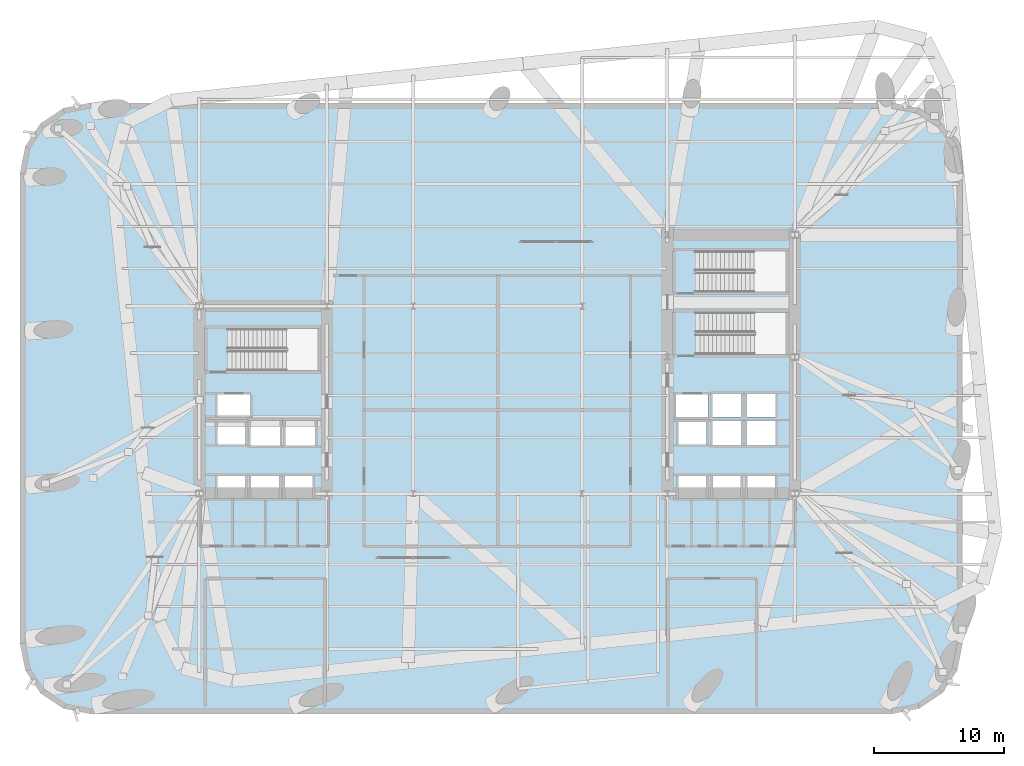
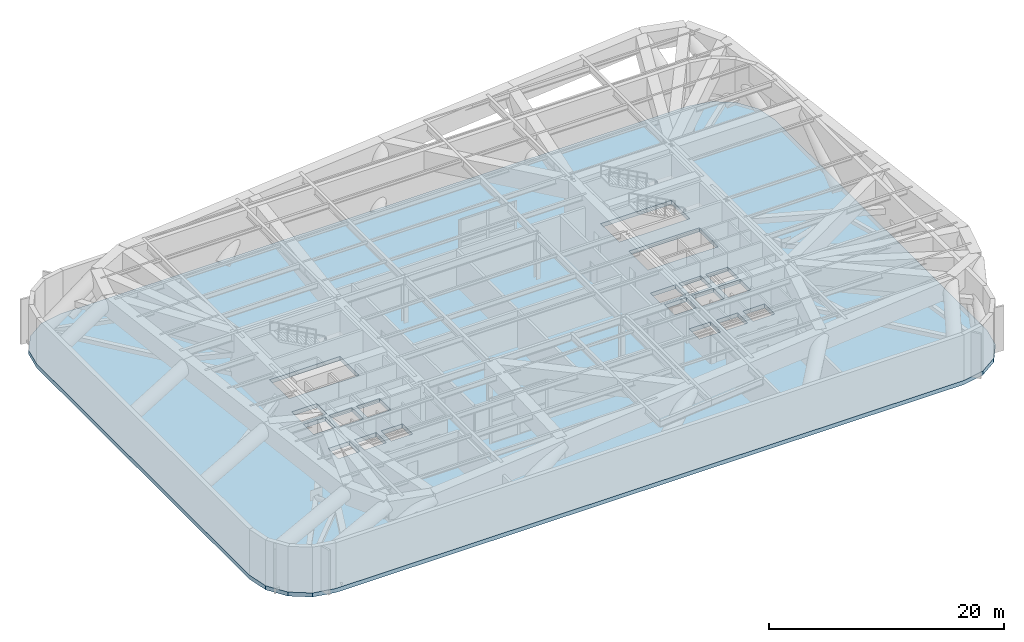
# One storey, part 7 of 16: 1 slab.
"""IFC4 building model written with IfcOpenShell, lengths in metres."""

from ifc_helpers import new_model, si_unit, direction, frame, origin, place, context, subcontext, project, spatial, polyline, outline, extrude, material, layer, layer_set, type_object, element, save


model = new_model("IFC4")

# Units and contexts
model_context = context("Model", 3, precision=1e-05, world=origin(), true_north=direction((0.0, 1.0)))
body_context = subcontext(model_context, "Body", "Model", "MODEL_VIEW")
ifc_project = project(units=[si_unit("LENGTHUNIT", "METRE"), si_unit("AREAUNIT", "SQUARE_METRE"), si_unit("VOLUMEUNIT", "CUBIC_METRE"), si_unit("PLANEANGLEUNIT", "RADIAN"), si_unit("MASSUNIT", "GRAM", prefix="KILO")], contexts=[model_context])

# Site, building, storey
site_placement = place(None, origin())
site = spatial("IfcSite", under=ifc_project, at=site_placement, CompositionType="ELEMENT")
building_placement = place(site_placement, origin())
building = spatial("IfcBuilding", under=site, at=building_placement, Name="Kolvaren Arena Tower", CompositionType="ELEMENT")
storey_placement = place(building_placement, frame((0.0, 0.0, 94.5)))
storey = spatial("IfcBuildingStorey", under=building, at=storey_placement, Name="L21", CompositionType="ELEMENT", Elevation=94.5)

# Slab
ifc_material = material(Name="Concrete 50 MPa", Category="concrete")
ifc_layer = layer(ifc_material, 0.419921875)
ifc_layer_set = layer_set([ifc_layer], Name="Concrete 50 MPa")
slab_type = type_object("IfcSlabType", Name="SLAB-PLANT", PredefinedType="FLOOR", material=ifc_layer_set)
slab_placement = place(storey_placement, frame((0.0, 0.0, -0.419921875)))
element("IfcSlab", 1, at=slab_placement, inside=storey, type_object=slab_type, Name="L21 Primary Structural Slab", PredefinedType="FLOOR", context=body_context, shape_type="SweptSolid", body=[
    extrude(outline(polyline([(67.85009765625, 2.5), (69.91650390625, 2.9111328125), (71.66845703125, 4.08154296875), (72.8388671875, 5.83349609375), (73.25, 7.89990234375), (73.25, 44.10009765625), (72.8388671875, 46.16650390625), (71.66845703125, 47.91845703125), (69.91650390625, 49.0888671875), (67.85009765625, 49.5), (6.14990234375, 49.5), (4.08349609375, 49.0888671875), (2.33154296875, 47.91845703125), (1.1611328125, 46.16650390625), (0.75, 44.10009765625), (0.75, 7.89990234375), (1.1611328125, 5.83349609375), (2.33154296875, 4.08154296875), (4.08349609375, 2.9111328125), (6.14990234375, 2.5), (67.85009765625, 2.5)]), holes=[polyline([(15.93505859375, 19.0849609375), (15.93505859375, 20.81494140625), (18.06494140625, 20.81494140625), (18.06494140625, 19.0849609375), (15.93505859375, 19.0849609375)]), polyline([(18.534912109375, 19.0849609375), (18.534912109375, 20.81494140625), (20.6650390625, 20.81494140625), (20.6650390625, 19.0849609375), (18.534912109375, 19.0849609375)]), polyline([(21.135009765625, 19.0849609375), (21.135009765625, 20.81494140625), (23.264892578125, 20.81494140625), (23.264892578125, 19.0849609375), (21.135009765625, 19.0849609375)]), polyline([(51.39501953125, 19.0849609375), (51.39501953125, 20.81494140625), (53.52490234375, 20.81494140625), (53.52490234375, 19.0849609375), (51.39501953125, 19.0849609375)]), polyline([(54.054931640625, 19.0849609375), (54.054931640625, 20.81494140625), (56.18505859375, 20.81494140625), (56.18505859375, 19.0849609375), (54.054931640625, 19.0849609375)]), polyline([(56.695068359375, 19.0849609375), (56.695068359375, 20.81494140625), (58.824951171875, 20.81494140625), (58.824951171875, 19.0849609375), (56.695068359375, 19.0849609375)]), polyline([(18.4599609375, 23.135009765625), (18.4599609375, 25.06494140625), (20.739990234375, 25.06494140625), (20.739990234375, 23.135009765625), (18.4599609375, 23.135009765625)]), polyline([(21.159912109375, 23.135009765625), (21.159912109375, 25.06494140625), (23.43994140625, 25.06494140625), (23.43994140625, 23.135009765625), (21.159912109375, 23.135009765625)]), polyline([(54.030029296875, 25.014892578125), (56.2099609375, 25.014892578125), (56.2099609375, 23.18505859375), (54.030029296875, 23.18505859375), (54.030029296875, 25.014892578125)]), polyline([(56.669921875, 25.014892578125), (58.85009765625, 25.014892578125), (58.85009765625, 23.18505859375), (56.669921875, 23.18505859375), (56.669921875, 25.014892578125)]), polyline([(15.93505859375, 23.235107421875), (15.93505859375, 24.965087890625), (18.06494140625, 24.965087890625), (18.06494140625, 23.235107421875), (15.93505859375, 23.235107421875)]), polyline([(51.39501953125, 24.965087890625), (53.52490234375, 24.965087890625), (53.52490234375, 23.235107421875), (51.39501953125, 23.235107421875), (51.39501953125, 24.965087890625)]), polyline([(54.030029296875, 25.284912109375), (54.030029296875, 27.114990234375), (56.2099609375, 27.114990234375), (56.2099609375, 25.284912109375), (54.030029296875, 25.284912109375)]), polyline([(56.669921875, 25.284912109375), (56.669921875, 27.114990234375), (58.85009765625, 27.114990234375), (58.85009765625, 25.284912109375), (56.669921875, 25.284912109375)]), polyline([(15.9599609375, 27.06494140625), (18.43994140625, 27.06494140625), (18.43994140625, 25.3349609375), (15.9599609375, 25.3349609375), (15.9599609375, 27.06494140625)]), polyline([(51.219970703125, 25.3349609375), (51.219970703125, 27.06494140625), (53.699951171875, 27.06494140625), (53.699951171875, 25.3349609375), (51.219970703125, 25.3349609375)]), polyline([(16.735107421875, 28.89990234375), (16.735107421875, 32.1298828125), (23.659912109375, 32.1298828125), (23.659912109375, 28.89990234375), (16.735107421875, 28.89990234375)]), polyline([(52.735107421875, 33.3798828125), (59.659912109375, 33.3798828125), (59.659912109375, 30.14990234375), (52.735107421875, 30.14990234375), (52.735107421875, 33.3798828125)]), polyline([(52.695068359375, 38.10009765625), (59.659912109375, 38.10009765625), (59.659912109375, 34.949951171875), (52.695068359375, 34.949951171875), (52.695068359375, 38.10009765625)])]), origin(), (0.0, 0.0, 1.0), 0.419921875),
])

save(model, "model.ifc")
